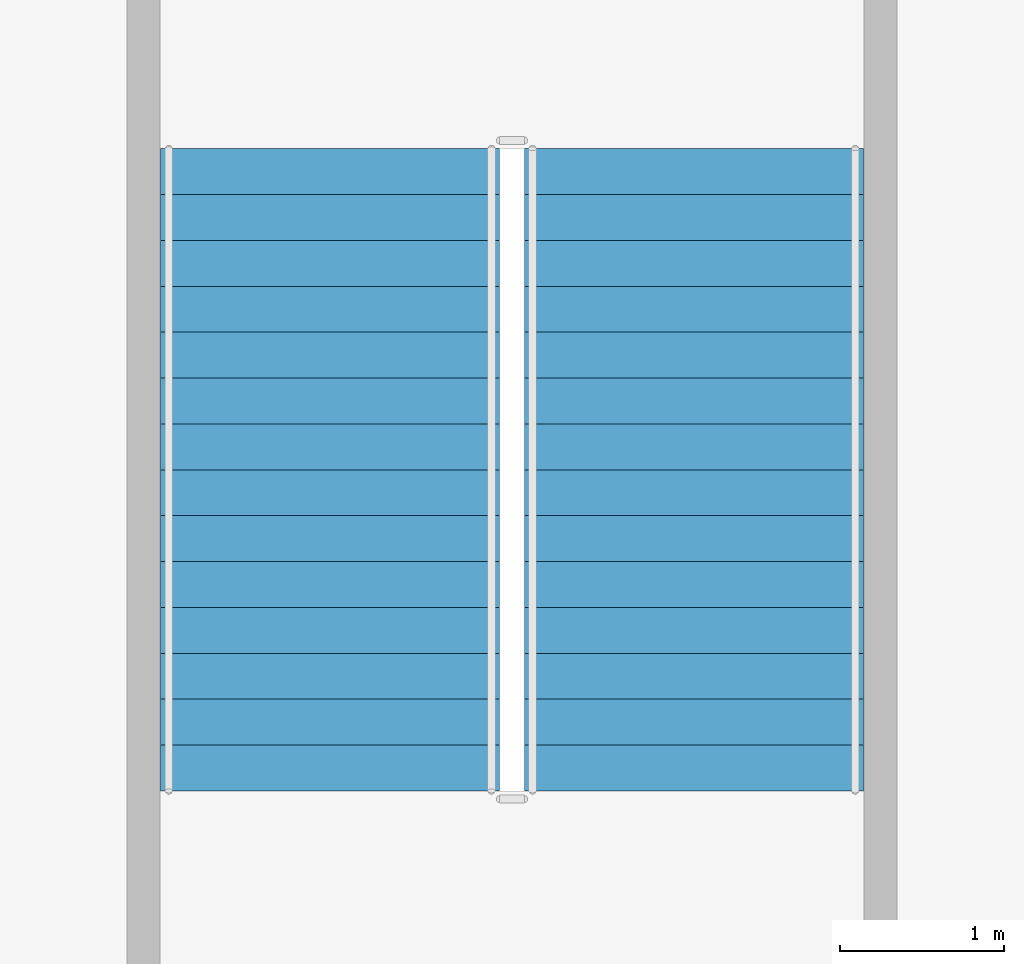
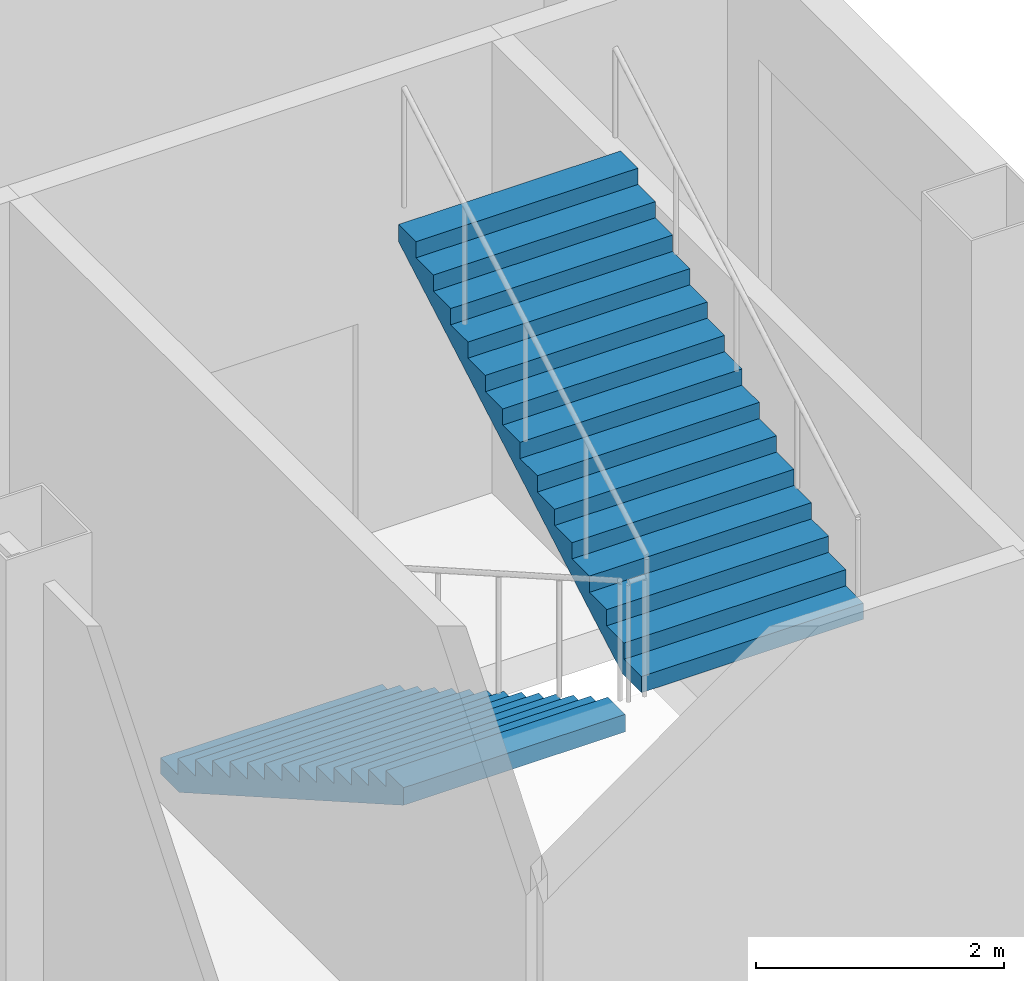
# One storey, part 17 of 23: 2 stair flights, 1 element without a shape of its own.
"""IFC4 building model written with IfcOpenShell, lengths in metres."""

from ifc_helpers import new_model, si_unit, direction, frame, origin, place, context, subcontext, project, spatial, polygons, material, type_object, element, aggregate, save


model = new_model("IFC4")

# Units and contexts
model_context = context("Model", 3, precision=1e-05, world=origin(), true_north=direction((0.0, 1.0)))
body_context = subcontext(model_context, "Body", "Model", "MODEL_VIEW")
ifc_project = project(units=[si_unit("LENGTHUNIT", "METRE"), si_unit("AREAUNIT", "SQUARE_METRE"), si_unit("VOLUMEUNIT", "CUBIC_METRE"), si_unit("PLANEANGLEUNIT", "RADIAN"), si_unit("MASSUNIT", "GRAM", prefix="KILO")], contexts=[model_context])

# Site, building, storey
site_placement = place(None, origin())
site = spatial("IfcSite", under=ifc_project, at=site_placement, CompositionType="ELEMENT")
building_placement = place(site_placement, origin())
building = spatial("IfcBuilding", under=site, at=building_placement, Name="Caravel Reach Hotel and Residences", CompositionType="ELEMENT")
storey_placement = place(building_placement, frame((0.0, 0.0, 24.0)))
storey = spatial("IfcBuildingStorey", under=building, at=storey_placement, Name="L04", CompositionType="ELEMENT", Elevation=24.0)

# Stair, stair flights
ifc_material_1 = material(Name="Concrete C40", Category="concrete")
stair_type = type_object("IfcStairType", Name="Core stair", PredefinedType="HALF_TURN_STAIR", material=ifc_material_1)
stair_placement = place(storey_placement, origin())
stair = element("IfcStair", 1, at=stair_placement, inside=storey, type_object=stair_type, Name="L04 Exit stair P7", PredefinedType="HALF_TURN_STAIR")
ifc_material_2 = material(Name="Concrete C40", Category="concrete")
stair_flight_type = type_object("IfcStairFlightType", Name="Core stair flight", PredefinedType="STRAIGHT", material=ifc_material_2)
stair_flight_1_placement = place(storey_placement, frame((62.139892578125, 11.31005859375, 0.0), z_axis=(0.0, 0.0, 1.0), x_axis=(0.0, -1.0, 0.0)))
stair_flight_1 = element("IfcStairFlight", 2, at=stair_flight_1_placement, type_object=stair_flight_type, Name="ST-P7 flight 1", NumberOfRisers=15, NumberOfTreads=14, PredefinedType="STRAIGHT", RiserHeight=0.16, TreadLength=0.28, context=body_context, shape_type="Tessellation", body=[
    polygons([(0.30213783309663755, 1.0350341796875, 0.0), (0.30213783309663755, 0.6900227864583333, 0.0), (0.30213783309663755, 0.34501139322916663, 0.0), (0.30213783309663755, 0.0, 0.0), (0.30213783309663755, -0.34501139322916674, 0.0), (0.30213783309663755, -0.6900227864583333, 0.0), (0.30213783309663755, -1.0350341796875, 0.0), (3.9210000000000003, 1.0350341796875, 2.0673498096590643), (3.9210000000000003, 0.6900227864583333, 2.0673498096590643), (3.9210000000000003, 0.34501139322916663, 2.0673498096590643), (3.9210000000000003, 0.0, 2.0673498096590643), (3.9210000000000003, -0.34501139322916674, 2.0673498096590643), (3.9210000000000003, -0.6900227864583333, 2.0673498096590643), (3.9210000000000003, -1.0350341796875, 2.0673498096590643), (3.9210000000000003, 1.0350341796875, 2.24), (3.9210000000000003, 0.6900227864583333, 2.24), (3.9210000000000003, 0.34501139322916663, 2.24), (3.9210000000000003, 0.0, 2.24), (3.9210000000000003, -0.34501139322916674, 2.24), (3.9210000000000003, -0.6900227864583333, 2.24), (3.9210000000000003, -1.0350341796875, 2.24), (3.6400000000000006, 1.0350341796875, 2.24), (3.6400000000000006, 0.6900227864583333, 2.24), (3.6400000000000006, 0.34501139322916663, 2.24), (3.6400000000000006, 0.0, 2.24), (3.6400000000000006, -0.34501139322916674, 2.24), (3.6400000000000006, -0.6900227864583333, 2.24), (3.6400000000000006, -1.0350341796875, 2.24), (3.6400000000000006, 1.0350341796875, 2.08), (3.6400000000000006, 0.6900227864583333, 2.08), (3.6400000000000006, 0.34501139322916663, 2.08), (3.6400000000000006, 0.0, 2.08), (3.6400000000000006, -0.34501139322916674, 2.08), (3.6400000000000006, -0.6900227864583333, 2.08), (3.6400000000000006, -1.0350341796875, 2.08), (3.3600000000000003, 1.0350341796875, 2.08), (3.3600000000000003, 0.6900227864583333, 2.08), (3.3600000000000003, 0.34501139322916663, 2.08), (3.3600000000000003, 0.0, 2.08), (3.3600000000000003, -0.34501139322916674, 2.08), (3.3600000000000003, -0.6900227864583333, 2.08), (3.3600000000000003, -1.0350341796875, 2.08), (3.3600000000000003, 1.0350341796875, 1.92), (3.3600000000000003, 0.6900227864583333, 1.92), (3.3600000000000003, 0.34501139322916663, 1.92), (3.3600000000000003, 0.0, 1.92), (3.3600000000000003, -0.34501139322916674, 1.92), (3.3600000000000003, -0.6900227864583333, 1.92), (3.3600000000000003, -1.0350341796875, 1.92), (3.08, 1.0350341796875, 1.92), (3.08, 0.6900227864583333, 1.92), (3.08, 0.34501139322916663, 1.92), (3.08, 0.0, 1.92), (3.08, -0.34501139322916674, 1.92), (3.08, -0.6900227864583333, 1.92), (3.08, -1.0350341796875, 1.92), (3.08, 1.0350341796875, 1.76), (3.08, 0.6900227864583333, 1.76), (3.08, 0.34501139322916663, 1.76), (3.08, 0.0, 1.76), (3.08, -0.34501139322916674, 1.76), (3.08, -0.6900227864583333, 1.76), (3.08, -1.0350341796875, 1.76), (2.8000000000000003, 1.0350341796875, 1.76), (2.8000000000000003, 0.6900227864583333, 1.76), (2.8000000000000003, 0.34501139322916663, 1.76), (2.8000000000000003, 0.0, 1.76), (2.8000000000000003, -0.34501139322916674, 1.76), (2.8000000000000003, -0.6900227864583333, 1.76), (2.8000000000000003, -1.0350341796875, 1.76), (2.8000000000000003, 1.0350341796875, 1.6), (2.8000000000000003, 0.6900227864583333, 1.6), (2.8000000000000003, 0.34501139322916663, 1.6), (2.8000000000000003, 0.0, 1.6), (2.8000000000000003, -0.34501139322916674, 1.6), (2.8000000000000003, -0.6900227864583333, 1.6), (2.8000000000000003, -1.0350341796875, 1.6), (2.5200000000000005, 1.0350341796875, 1.6), (2.5200000000000005, 0.6900227864583333, 1.6), (2.5200000000000005, 0.34501139322916663, 1.6), (2.5200000000000005, 0.0, 1.6), (2.5200000000000005, -0.34501139322916674, 1.6), (2.5200000000000005, -0.6900227864583333, 1.6), (2.5200000000000005, -1.0350341796875, 1.6), (2.5200000000000005, 1.0350341796875, 1.44), (2.5200000000000005, 0.6900227864583333, 1.44), (2.5200000000000005, 0.34501139322916663, 1.44), (2.5200000000000005, 0.0, 1.44), (2.5200000000000005, -0.34501139322916674, 1.44), (2.5200000000000005, -0.6900227864583333, 1.44), (2.5200000000000005, -1.0350341796875, 1.44), (2.24, 1.0350341796875, 1.44), (2.24, 0.6900227864583333, 1.44), (2.24, 0.34501139322916663, 1.44), (2.24, 0.0, 1.44), (2.24, -0.34501139322916674, 1.44), (2.24, -0.6900227864583333, 1.44), (2.24, -1.0350341796875, 1.44), (2.24, 1.0350341796875, 1.28), (2.24, 0.6900227864583333, 1.28), (2.24, 0.34501139322916663, 1.28), (2.24, 0.0, 1.28), (2.24, -0.34501139322916674, 1.28), (2.24, -0.6900227864583333, 1.28), (2.24, -1.0350341796875, 1.28), (1.9600000000000002, 1.0350341796875, 1.28), (1.9600000000000002, 0.6900227864583333, 1.28), (1.9600000000000002, 0.34501139322916663, 1.28), (1.9600000000000002, 0.0, 1.28), (1.9600000000000002, -0.34501139322916674, 1.28), (1.9600000000000002, -0.6900227864583333, 1.28), (1.9600000000000002, -1.0350341796875, 1.28), (1.9600000000000002, 1.0350341796875, 1.12), (1.9600000000000002, 0.6900227864583333, 1.12), (1.9600000000000002, 0.34501139322916663, 1.12), (1.9600000000000002, 0.0, 1.12), (1.9600000000000002, -0.34501139322916674, 1.12), (1.9600000000000002, -0.6900227864583333, 1.12), (1.9600000000000002, -1.0350341796875, 1.12), (1.6800000000000002, 1.0350341796875, 1.12), (1.6800000000000002, 0.6900227864583333, 1.12), (1.6800000000000002, 0.34501139322916663, 1.12), (1.6800000000000002, 0.0, 1.12), (1.6800000000000002, -0.34501139322916674, 1.12), (1.6800000000000002, -0.6900227864583333, 1.12), (1.6800000000000002, -1.0350341796875, 1.12), (1.6800000000000002, 1.0350341796875, 0.96), (1.6800000000000002, 0.6900227864583333, 0.96), (1.6800000000000002, 0.34501139322916663, 0.96), (1.6800000000000002, 0.0, 0.96), (1.6800000000000002, -0.34501139322916674, 0.96), (1.6800000000000002, -0.6900227864583333, 0.96), (1.6800000000000002, -1.0350341796875, 0.96), (1.4000000000000001, 1.0350341796875, 0.96), (1.4000000000000001, 0.6900227864583333, 0.96), (1.4000000000000001, 0.34501139322916663, 0.96), (1.4000000000000001, 0.0, 0.96), (1.4000000000000001, -0.34501139322916674, 0.96), (1.4000000000000001, -0.6900227864583333, 0.96), (1.4000000000000001, -1.0350341796875, 0.96), (1.4000000000000001, 1.0350341796875, 0.8), (1.4000000000000001, 0.6900227864583333, 0.8), (1.4000000000000001, 0.34501139322916663, 0.8), (1.4000000000000001, 0.0, 0.8), (1.4000000000000001, -0.34501139322916674, 0.8), (1.4000000000000001, -0.6900227864583333, 0.8), (1.4000000000000001, -1.0350341796875, 0.8), (1.12, 1.0350341796875, 0.8), (1.12, 0.6900227864583333, 0.8), (1.12, 0.34501139322916663, 0.8), (1.12, 0.0, 0.8), (1.12, -0.34501139322916674, 0.8), (1.12, -0.6900227864583333, 0.8), (1.12, -1.0350341796875, 0.8), (1.12, 1.0350341796875, 0.64), (1.12, 0.6900227864583333, 0.64), (1.12, 0.34501139322916663, 0.64), (1.12, 0.0, 0.64), (1.12, -0.34501139322916674, 0.64), (1.12, -0.6900227864583333, 0.64), (1.12, -1.0350341796875, 0.64), (0.8400000000000001, 1.0350341796875, 0.64), (0.8400000000000001, 0.6900227864583333, 0.64), (0.8400000000000001, 0.34501139322916663, 0.64), (0.8400000000000001, 0.0, 0.64), (0.8400000000000001, -0.34501139322916674, 0.64), (0.8400000000000001, -0.6900227864583333, 0.64), (0.8400000000000001, -1.0350341796875, 0.64), (0.8400000000000001, 1.0350341796875, 0.48), (0.8400000000000001, 0.6900227864583333, 0.48), (0.8400000000000001, 0.34501139322916663, 0.48), (0.8400000000000001, 0.0, 0.48), (0.8400000000000001, -0.34501139322916674, 0.48), (0.8400000000000001, -0.6900227864583333, 0.48), (0.8400000000000001, -1.0350341796875, 0.48), (0.56, 1.0350341796875, 0.48), (0.56, 0.6900227864583333, 0.48), (0.56, 0.34501139322916663, 0.48), (0.56, 0.0, 0.48), (0.56, -0.34501139322916674, 0.48), (0.56, -0.6900227864583333, 0.48), (0.56, -1.0350341796875, 0.48), (0.56, 1.0350341796875, 0.32), (0.56, 0.6900227864583333, 0.32), (0.56, 0.34501139322916663, 0.32), (0.56, 0.0, 0.32), (0.56, -0.34501139322916674, 0.32), (0.56, -0.6900227864583333, 0.32), (0.56, -1.0350341796875, 0.32), (0.28, 1.0350341796875, 0.32), (0.28, 0.6900227864583333, 0.32), (0.28, 0.34501139322916663, 0.32), (0.28, 0.0, 0.32), (0.28, -0.34501139322916674, 0.32), (0.28, -0.6900227864583333, 0.32), (0.28, -1.0350341796875, 0.32), (0.28, 1.0350341796875, 0.16), (0.28, 0.6900227864583333, 0.16), (0.28, 0.34501139322916663, 0.16), (0.28, 0.0, 0.16), (0.28, -0.34501139322916674, 0.16), (0.28, -0.6900227864583333, 0.16), (0.28, -1.0350341796875, 0.16), (-0.001, 1.0350341796875, 0.16), (-0.001, 0.6900227864583333, 0.16), (-0.001, 0.34501139322916663, 0.16), (-0.001, 0.0, 0.16), (-0.001, -0.34501139322916674, 0.16), (-0.001, -0.6900227864583333, 0.16), (-0.001, -1.0350341796875, 0.16), (-0.001, 1.0350341796875, 0.0), (-0.001, 0.6900227864583333, 0.0), (-0.001, 0.34501139322916663, 0.0), (-0.001, 0.0, 0.0), (-0.001, -0.34501139322916674, 0.0), (-0.001, -0.6900227864583333, 0.0), (-0.001, -1.0350341796875, 0.0)], [[[211, 204, 197, 190, 183, 176, 169, 162, 155, 148, 141, 134, 127, 120, 113, 106, 99, 92, 85, 78, 71, 64, 57, 50, 43, 36, 29, 22, 15, 8, 1]], [[7, 14, 21, 28, 35, 42, 49, 56, 63, 70, 77, 84, 91, 98, 105, 112, 119, 126, 133, 140, 147, 154, 161, 168, 175, 182, 189, 196, 203, 210, 217]], [[1, 8, 9, 2]], [[2, 9, 10, 3]], [[3, 10, 11, 4]], [[4, 11, 12, 5]], [[5, 12, 13, 6]], [[6, 13, 14, 7]], [[8, 15, 16, 9]], [[9, 16, 17, 10]], [[10, 17, 18, 11]], [[11, 18, 19, 12]], [[12, 19, 20, 13]], [[13, 20, 21, 14]], [[15, 22, 23, 16]], [[16, 23, 24, 17]], [[17, 24, 25, 18]], [[18, 25, 26, 19]], [[19, 26, 27, 20]], [[20, 27, 28, 21]], [[22, 29, 30, 23]], [[23, 30, 31, 24]], [[24, 31, 32, 25]], [[25, 32, 33, 26]], [[26, 33, 34, 27]], [[27, 34, 35, 28]], [[29, 36, 37, 30]], [[30, 37, 38, 31]], [[31, 38, 39, 32]], [[32, 39, 40, 33]], [[33, 40, 41, 34]], [[34, 41, 42, 35]], [[36, 43, 44, 37]], [[37, 44, 45, 38]], [[38, 45, 46, 39]], [[39, 46, 47, 40]], [[40, 47, 48, 41]], [[41, 48, 49, 42]], [[43, 50, 51, 44]], [[44, 51, 52, 45]], [[45, 52, 53, 46]], [[46, 53, 54, 47]], [[47, 54, 55, 48]], [[48, 55, 56, 49]], [[50, 57, 58, 51]], [[51, 58, 59, 52]], [[52, 59, 60, 53]], [[53, 60, 61, 54]], [[54, 61, 62, 55]], [[55, 62, 63, 56]], [[57, 64, 65, 58]], [[58, 65, 66, 59]], [[59, 66, 67, 60]], [[60, 67, 68, 61]], [[61, 68, 69, 62]], [[62, 69, 70, 63]], [[64, 71, 72, 65]], [[65, 72, 73, 66]], [[66, 73, 74, 67]], [[67, 74, 75, 68]], [[68, 75, 76, 69]], [[69, 76, 77, 70]], [[71, 78, 79, 72]], [[72, 79, 80, 73]], [[73, 80, 81, 74]], [[74, 81, 82, 75]], [[75, 82, 83, 76]], [[76, 83, 84, 77]], [[78, 85, 86, 79]], [[79, 86, 87, 80]], [[80, 87, 88, 81]], [[81, 88, 89, 82]], [[82, 89, 90, 83]], [[83, 90, 91, 84]], [[85, 92, 93, 86]], [[86, 93, 94, 87]], [[87, 94, 95, 88]], [[88, 95, 96, 89]], [[89, 96, 97, 90]], [[90, 97, 98, 91]], [[92, 99, 100, 93]], [[93, 100, 101, 94]], [[94, 101, 102, 95]], [[95, 102, 103, 96]], [[96, 103, 104, 97]], [[97, 104, 105, 98]], [[99, 106, 107, 100]], [[100, 107, 108, 101]], [[101, 108, 109, 102]], [[102, 109, 110, 103]], [[103, 110, 111, 104]], [[104, 111, 112, 105]], [[106, 113, 114, 107]], [[107, 114, 115, 108]], [[108, 115, 116, 109]], [[109, 116, 117, 110]], [[110, 117, 118, 111]], [[111, 118, 119, 112]], [[113, 120, 121, 114]], [[114, 121, 122, 115]], [[115, 122, 123, 116]], [[116, 123, 124, 117]], [[117, 124, 125, 118]], [[118, 125, 126, 119]], [[120, 127, 128, 121]], [[121, 128, 129, 122]], [[122, 129, 130, 123]], [[123, 130, 131, 124]], [[124, 131, 132, 125]], [[125, 132, 133, 126]], [[127, 134, 135, 128]], [[128, 135, 136, 129]], [[129, 136, 137, 130]], [[130, 137, 138, 131]], [[131, 138, 139, 132]], [[132, 139, 140, 133]], [[134, 141, 142, 135]], [[135, 142, 143, 136]], [[136, 143, 144, 137]], [[137, 144, 145, 138]], [[138, 145, 146, 139]], [[139, 146, 147, 140]], [[141, 148, 149, 142]], [[142, 149, 150, 143]], [[143, 150, 151, 144]], [[144, 151, 152, 145]], [[145, 152, 153, 146]], [[146, 153, 154, 147]], [[148, 155, 156, 149]], [[149, 156, 157, 150]], [[150, 157, 158, 151]], [[151, 158, 159, 152]], [[152, 159, 160, 153]], [[153, 160, 161, 154]], [[155, 162, 163, 156]], [[156, 163, 164, 157]], [[157, 164, 165, 158]], [[158, 165, 166, 159]], [[159, 166, 167, 160]], [[160, 167, 168, 161]], [[162, 169, 170, 163]], [[163, 170, 171, 164]], [[164, 171, 172, 165]], [[165, 172, 173, 166]], [[166, 173, 174, 167]], [[167, 174, 175, 168]], [[169, 176, 177, 170]], [[170, 177, 178, 171]], [[171, 178, 179, 172]], [[172, 179, 180, 173]], [[173, 180, 181, 174]], [[174, 181, 182, 175]], [[176, 183, 184, 177]], [[177, 184, 185, 178]], [[178, 185, 186, 179]], [[179, 186, 187, 180]], [[180, 187, 188, 181]], [[181, 188, 189, 182]], [[183, 190, 191, 184]], [[184, 191, 192, 185]], [[185, 192, 193, 186]], [[186, 193, 194, 187]], [[187, 194, 195, 188]], [[188, 195, 196, 189]], [[190, 197, 198, 191]], [[191, 198, 199, 192]], [[192, 199, 200, 193]], [[193, 200, 201, 194]], [[194, 201, 202, 195]], [[195, 202, 203, 196]], [[197, 204, 205, 198]], [[198, 205, 206, 199]], [[199, 206, 207, 200]], [[200, 207, 208, 201]], [[201, 208, 209, 202]], [[202, 209, 210, 203]], [[204, 211, 212, 205]], [[205, 212, 213, 206]], [[206, 213, 214, 207]], [[207, 214, 215, 208]], [[208, 215, 216, 209]], [[209, 216, 217, 210]], [[211, 1, 2, 212]], [[212, 2, 3, 213]], [[213, 3, 4, 214]], [[214, 4, 5, 215]], [[215, 5, 6, 216]], [[216, 6, 7, 217]]], closed=True),
])
stair_flight_2_placement = place(storey_placement, frame((64.360107421875, 7.389892578125, 2.39990234375), z_axis=(0.0, 0.0, 1.0), x_axis=(0.0, 1.0, 0.0)))
stair_flight_2 = element("IfcStairFlight", 3, at=stair_flight_2_placement, type_object=stair_flight_type, Name="ST-P7 flight 2", NumberOfRisers=15, NumberOfTreads=14, PredefinedType="STRAIGHT", RiserHeight=0.16, TreadLength=0.28, context=body_context, shape_type="Tessellation", body=[
    polygons([(0.30213783309663755, 1.0350341796875, 0.0), (0.30213783309663755, 0.6900227864583333, 0.0), (0.30213783309663755, 0.34501139322916663, 0.0), (0.30213783309663755, 0.0, 0.0), (0.30213783309663755, -0.34501139322916674, 0.0), (0.30213783309663755, -0.6900227864583333, 0.0), (0.30213783309663755, -1.0350341796875, 0.0), (3.9210000000000003, 1.0350341796875, 2.0673498096590643), (3.9210000000000003, 0.6900227864583333, 2.0673498096590643), (3.9210000000000003, 0.34501139322916663, 2.0673498096590643), (3.9210000000000003, 0.0, 2.0673498096590643), (3.9210000000000003, -0.34501139322916674, 2.0673498096590643), (3.9210000000000003, -0.6900227864583333, 2.0673498096590643), (3.9210000000000003, -1.0350341796875, 2.0673498096590643), (3.9210000000000003, 1.0350341796875, 2.24), (3.9210000000000003, 0.6900227864583333, 2.24), (3.9210000000000003, 0.34501139322916663, 2.24), (3.9210000000000003, 0.0, 2.24), (3.9210000000000003, -0.34501139322916674, 2.24), (3.9210000000000003, -0.6900227864583333, 2.24), (3.9210000000000003, -1.0350341796875, 2.24), (3.6400000000000006, 1.0350341796875, 2.24), (3.6400000000000006, 0.6900227864583333, 2.24), (3.6400000000000006, 0.34501139322916663, 2.24), (3.6400000000000006, 0.0, 2.24), (3.6400000000000006, -0.34501139322916674, 2.24), (3.6400000000000006, -0.6900227864583333, 2.24), (3.6400000000000006, -1.0350341796875, 2.24), (3.6400000000000006, 1.0350341796875, 2.08), (3.6400000000000006, 0.6900227864583333, 2.08), (3.6400000000000006, 0.34501139322916663, 2.08), (3.6400000000000006, 0.0, 2.08), (3.6400000000000006, -0.34501139322916674, 2.08), (3.6400000000000006, -0.6900227864583333, 2.08), (3.6400000000000006, -1.0350341796875, 2.08), (3.3600000000000003, 1.0350341796875, 2.08), (3.3600000000000003, 0.6900227864583333, 2.08), (3.3600000000000003, 0.34501139322916663, 2.08), (3.3600000000000003, 0.0, 2.08), (3.3600000000000003, -0.34501139322916674, 2.08), (3.3600000000000003, -0.6900227864583333, 2.08), (3.3600000000000003, -1.0350341796875, 2.08), (3.3600000000000003, 1.0350341796875, 1.92), (3.3600000000000003, 0.6900227864583333, 1.92), (3.3600000000000003, 0.34501139322916663, 1.92), (3.3600000000000003, 0.0, 1.92), (3.3600000000000003, -0.34501139322916674, 1.92), (3.3600000000000003, -0.6900227864583333, 1.92), (3.3600000000000003, -1.0350341796875, 1.92), (3.08, 1.0350341796875, 1.92), (3.08, 0.6900227864583333, 1.92), (3.08, 0.34501139322916663, 1.92), (3.08, 0.0, 1.92), (3.08, -0.34501139322916674, 1.92), (3.08, -0.6900227864583333, 1.92), (3.08, -1.0350341796875, 1.92), (3.08, 1.0350341796875, 1.76), (3.08, 0.6900227864583333, 1.76), (3.08, 0.34501139322916663, 1.76), (3.08, 0.0, 1.76), (3.08, -0.34501139322916674, 1.76), (3.08, -0.6900227864583333, 1.76), (3.08, -1.0350341796875, 1.76), (2.8000000000000003, 1.0350341796875, 1.76), (2.8000000000000003, 0.6900227864583333, 1.76), (2.8000000000000003, 0.34501139322916663, 1.76), (2.8000000000000003, 0.0, 1.76), (2.8000000000000003, -0.34501139322916674, 1.76), (2.8000000000000003, -0.6900227864583333, 1.76), (2.8000000000000003, -1.0350341796875, 1.76), (2.8000000000000003, 1.0350341796875, 1.6), (2.8000000000000003, 0.6900227864583333, 1.6), (2.8000000000000003, 0.34501139322916663, 1.6), (2.8000000000000003, 0.0, 1.6), (2.8000000000000003, -0.34501139322916674, 1.6), (2.8000000000000003, -0.6900227864583333, 1.6), (2.8000000000000003, -1.0350341796875, 1.6), (2.5200000000000005, 1.0350341796875, 1.6), (2.5200000000000005, 0.6900227864583333, 1.6), (2.5200000000000005, 0.34501139322916663, 1.6), (2.5200000000000005, 0.0, 1.6), (2.5200000000000005, -0.34501139322916674, 1.6), (2.5200000000000005, -0.6900227864583333, 1.6), (2.5200000000000005, -1.0350341796875, 1.6), (2.5200000000000005, 1.0350341796875, 1.44), (2.5200000000000005, 0.6900227864583333, 1.44), (2.5200000000000005, 0.34501139322916663, 1.44), (2.5200000000000005, 0.0, 1.44), (2.5200000000000005, -0.34501139322916674, 1.44), (2.5200000000000005, -0.6900227864583333, 1.44), (2.5200000000000005, -1.0350341796875, 1.44), (2.24, 1.0350341796875, 1.44), (2.24, 0.6900227864583333, 1.44), (2.24, 0.34501139322916663, 1.44), (2.24, 0.0, 1.44), (2.24, -0.34501139322916674, 1.44), (2.24, -0.6900227864583333, 1.44), (2.24, -1.0350341796875, 1.44), (2.24, 1.0350341796875, 1.28), (2.24, 0.6900227864583333, 1.28), (2.24, 0.34501139322916663, 1.28), (2.24, 0.0, 1.28), (2.24, -0.34501139322916674, 1.28), (2.24, -0.6900227864583333, 1.28), (2.24, -1.0350341796875, 1.28), (1.9600000000000002, 1.0350341796875, 1.28), (1.9600000000000002, 0.6900227864583333, 1.28), (1.9600000000000002, 0.34501139322916663, 1.28), (1.9600000000000002, 0.0, 1.28), (1.9600000000000002, -0.34501139322916674, 1.28), (1.9600000000000002, -0.6900227864583333, 1.28), (1.9600000000000002, -1.0350341796875, 1.28), (1.9600000000000002, 1.0350341796875, 1.12), (1.9600000000000002, 0.6900227864583333, 1.12), (1.9600000000000002, 0.34501139322916663, 1.12), (1.9600000000000002, 0.0, 1.12), (1.9600000000000002, -0.34501139322916674, 1.12), (1.9600000000000002, -0.6900227864583333, 1.12), (1.9600000000000002, -1.0350341796875, 1.12), (1.6800000000000002, 1.0350341796875, 1.12), (1.6800000000000002, 0.6900227864583333, 1.12), (1.6800000000000002, 0.34501139322916663, 1.12), (1.6800000000000002, 0.0, 1.12), (1.6800000000000002, -0.34501139322916674, 1.12), (1.6800000000000002, -0.6900227864583333, 1.12), (1.6800000000000002, -1.0350341796875, 1.12), (1.6800000000000002, 1.0350341796875, 0.96), (1.6800000000000002, 0.6900227864583333, 0.96), (1.6800000000000002, 0.34501139322916663, 0.96), (1.6800000000000002, 0.0, 0.96), (1.6800000000000002, -0.34501139322916674, 0.96), (1.6800000000000002, -0.6900227864583333, 0.96), (1.6800000000000002, -1.0350341796875, 0.96), (1.4000000000000001, 1.0350341796875, 0.96), (1.4000000000000001, 0.6900227864583333, 0.96), (1.4000000000000001, 0.34501139322916663, 0.96), (1.4000000000000001, 0.0, 0.96), (1.4000000000000001, -0.34501139322916674, 0.96), (1.4000000000000001, -0.6900227864583333, 0.96), (1.4000000000000001, -1.0350341796875, 0.96), (1.4000000000000001, 1.0350341796875, 0.8), (1.4000000000000001, 0.6900227864583333, 0.8), (1.4000000000000001, 0.34501139322916663, 0.8), (1.4000000000000001, 0.0, 0.8), (1.4000000000000001, -0.34501139322916674, 0.8), (1.4000000000000001, -0.6900227864583333, 0.8), (1.4000000000000001, -1.0350341796875, 0.8), (1.12, 1.0350341796875, 0.8), (1.12, 0.6900227864583333, 0.8), (1.12, 0.34501139322916663, 0.8), (1.12, 0.0, 0.8), (1.12, -0.34501139322916674, 0.8), (1.12, -0.6900227864583333, 0.8), (1.12, -1.0350341796875, 0.8), (1.12, 1.0350341796875, 0.64), (1.12, 0.6900227864583333, 0.64), (1.12, 0.34501139322916663, 0.64), (1.12, 0.0, 0.64), (1.12, -0.34501139322916674, 0.64), (1.12, -0.6900227864583333, 0.64), (1.12, -1.0350341796875, 0.64), (0.8400000000000001, 1.0350341796875, 0.64), (0.8400000000000001, 0.6900227864583333, 0.64), (0.8400000000000001, 0.34501139322916663, 0.64), (0.8400000000000001, 0.0, 0.64), (0.8400000000000001, -0.34501139322916674, 0.64), (0.8400000000000001, -0.6900227864583333, 0.64), (0.8400000000000001, -1.0350341796875, 0.64), (0.8400000000000001, 1.0350341796875, 0.48), (0.8400000000000001, 0.6900227864583333, 0.48), (0.8400000000000001, 0.34501139322916663, 0.48), (0.8400000000000001, 0.0, 0.48), (0.8400000000000001, -0.34501139322916674, 0.48), (0.8400000000000001, -0.6900227864583333, 0.48), (0.8400000000000001, -1.0350341796875, 0.48), (0.56, 1.0350341796875, 0.48), (0.56, 0.6900227864583333, 0.48), (0.56, 0.34501139322916663, 0.48), (0.56, 0.0, 0.48), (0.56, -0.34501139322916674, 0.48), (0.56, -0.6900227864583333, 0.48), (0.56, -1.0350341796875, 0.48), (0.56, 1.0350341796875, 0.32), (0.56, 0.6900227864583333, 0.32), (0.56, 0.34501139322916663, 0.32), (0.56, 0.0, 0.32), (0.56, -0.34501139322916674, 0.32), (0.56, -0.6900227864583333, 0.32), (0.56, -1.0350341796875, 0.32), (0.28, 1.0350341796875, 0.32), (0.28, 0.6900227864583333, 0.32), (0.28, 0.34501139322916663, 0.32), (0.28, 0.0, 0.32), (0.28, -0.34501139322916674, 0.32), (0.28, -0.6900227864583333, 0.32), (0.28, -1.0350341796875, 0.32), (0.28, 1.0350341796875, 0.16), (0.28, 0.6900227864583333, 0.16), (0.28, 0.34501139322916663, 0.16), (0.28, 0.0, 0.16), (0.28, -0.34501139322916674, 0.16), (0.28, -0.6900227864583333, 0.16), (0.28, -1.0350341796875, 0.16), (-0.001, 1.0350341796875, 0.16), (-0.001, 0.6900227864583333, 0.16), (-0.001, 0.34501139322916663, 0.16), (-0.001, 0.0, 0.16), (-0.001, -0.34501139322916674, 0.16), (-0.001, -0.6900227864583333, 0.16), (-0.001, -1.0350341796875, 0.16), (-0.001, 1.0350341796875, 0.0), (-0.001, 0.6900227864583333, 0.0), (-0.001, 0.34501139322916663, 0.0), (-0.001, 0.0, 0.0), (-0.001, -0.34501139322916674, 0.0), (-0.001, -0.6900227864583333, 0.0), (-0.001, -1.0350341796875, 0.0)], [[[211, 204, 197, 190, 183, 176, 169, 162, 155, 148, 141, 134, 127, 120, 113, 106, 99, 92, 85, 78, 71, 64, 57, 50, 43, 36, 29, 22, 15, 8, 1]], [[7, 14, 21, 28, 35, 42, 49, 56, 63, 70, 77, 84, 91, 98, 105, 112, 119, 126, 133, 140, 147, 154, 161, 168, 175, 182, 189, 196, 203, 210, 217]], [[1, 8, 9, 2]], [[2, 9, 10, 3]], [[3, 10, 11, 4]], [[4, 11, 12, 5]], [[5, 12, 13, 6]], [[6, 13, 14, 7]], [[8, 15, 16, 9]], [[9, 16, 17, 10]], [[10, 17, 18, 11]], [[11, 18, 19, 12]], [[12, 19, 20, 13]], [[13, 20, 21, 14]], [[15, 22, 23, 16]], [[16, 23, 24, 17]], [[17, 24, 25, 18]], [[18, 25, 26, 19]], [[19, 26, 27, 20]], [[20, 27, 28, 21]], [[22, 29, 30, 23]], [[23, 30, 31, 24]], [[24, 31, 32, 25]], [[25, 32, 33, 26]], [[26, 33, 34, 27]], [[27, 34, 35, 28]], [[29, 36, 37, 30]], [[30, 37, 38, 31]], [[31, 38, 39, 32]], [[32, 39, 40, 33]], [[33, 40, 41, 34]], [[34, 41, 42, 35]], [[36, 43, 44, 37]], [[37, 44, 45, 38]], [[38, 45, 46, 39]], [[39, 46, 47, 40]], [[40, 47, 48, 41]], [[41, 48, 49, 42]], [[43, 50, 51, 44]], [[44, 51, 52, 45]], [[45, 52, 53, 46]], [[46, 53, 54, 47]], [[47, 54, 55, 48]], [[48, 55, 56, 49]], [[50, 57, 58, 51]], [[51, 58, 59, 52]], [[52, 59, 60, 53]], [[53, 60, 61, 54]], [[54, 61, 62, 55]], [[55, 62, 63, 56]], [[57, 64, 65, 58]], [[58, 65, 66, 59]], [[59, 66, 67, 60]], [[60, 67, 68, 61]], [[61, 68, 69, 62]], [[62, 69, 70, 63]], [[64, 71, 72, 65]], [[65, 72, 73, 66]], [[66, 73, 74, 67]], [[67, 74, 75, 68]], [[68, 75, 76, 69]], [[69, 76, 77, 70]], [[71, 78, 79, 72]], [[72, 79, 80, 73]], [[73, 80, 81, 74]], [[74, 81, 82, 75]], [[75, 82, 83, 76]], [[76, 83, 84, 77]], [[78, 85, 86, 79]], [[79, 86, 87, 80]], [[80, 87, 88, 81]], [[81, 88, 89, 82]], [[82, 89, 90, 83]], [[83, 90, 91, 84]], [[85, 92, 93, 86]], [[86, 93, 94, 87]], [[87, 94, 95, 88]], [[88, 95, 96, 89]], [[89, 96, 97, 90]], [[90, 97, 98, 91]], [[92, 99, 100, 93]], [[93, 100, 101, 94]], [[94, 101, 102, 95]], [[95, 102, 103, 96]], [[96, 103, 104, 97]], [[97, 104, 105, 98]], [[99, 106, 107, 100]], [[100, 107, 108, 101]], [[101, 108, 109, 102]], [[102, 109, 110, 103]], [[103, 110, 111, 104]], [[104, 111, 112, 105]], [[106, 113, 114, 107]], [[107, 114, 115, 108]], [[108, 115, 116, 109]], [[109, 116, 117, 110]], [[110, 117, 118, 111]], [[111, 118, 119, 112]], [[113, 120, 121, 114]], [[114, 121, 122, 115]], [[115, 122, 123, 116]], [[116, 123, 124, 117]], [[117, 124, 125, 118]], [[118, 125, 126, 119]], [[120, 127, 128, 121]], [[121, 128, 129, 122]], [[122, 129, 130, 123]], [[123, 130, 131, 124]], [[124, 131, 132, 125]], [[125, 132, 133, 126]], [[127, 134, 135, 128]], [[128, 135, 136, 129]], [[129, 136, 137, 130]], [[130, 137, 138, 131]], [[131, 138, 139, 132]], [[132, 139, 140, 133]], [[134, 141, 142, 135]], [[135, 142, 143, 136]], [[136, 143, 144, 137]], [[137, 144, 145, 138]], [[138, 145, 146, 139]], [[139, 146, 147, 140]], [[141, 148, 149, 142]], [[142, 149, 150, 143]], [[143, 150, 151, 144]], [[144, 151, 152, 145]], [[145, 152, 153, 146]], [[146, 153, 154, 147]], [[148, 155, 156, 149]], [[149, 156, 157, 150]], [[150, 157, 158, 151]], [[151, 158, 159, 152]], [[152, 159, 160, 153]], [[153, 160, 161, 154]], [[155, 162, 163, 156]], [[156, 163, 164, 157]], [[157, 164, 165, 158]], [[158, 165, 166, 159]], [[159, 166, 167, 160]], [[160, 167, 168, 161]], [[162, 169, 170, 163]], [[163, 170, 171, 164]], [[164, 171, 172, 165]], [[165, 172, 173, 166]], [[166, 173, 174, 167]], [[167, 174, 175, 168]], [[169, 176, 177, 170]], [[170, 177, 178, 171]], [[171, 178, 179, 172]], [[172, 179, 180, 173]], [[173, 180, 181, 174]], [[174, 181, 182, 175]], [[176, 183, 184, 177]], [[177, 184, 185, 178]], [[178, 185, 186, 179]], [[179, 186, 187, 180]], [[180, 187, 188, 181]], [[181, 188, 189, 182]], [[183, 190, 191, 184]], [[184, 191, 192, 185]], [[185, 192, 193, 186]], [[186, 193, 194, 187]], [[187, 194, 195, 188]], [[188, 195, 196, 189]], [[190, 197, 198, 191]], [[191, 198, 199, 192]], [[192, 199, 200, 193]], [[193, 200, 201, 194]], [[194, 201, 202, 195]], [[195, 202, 203, 196]], [[197, 204, 205, 198]], [[198, 205, 206, 199]], [[199, 206, 207, 200]], [[200, 207, 208, 201]], [[201, 208, 209, 202]], [[202, 209, 210, 203]], [[204, 211, 212, 205]], [[205, 212, 213, 206]], [[206, 213, 214, 207]], [[207, 214, 215, 208]], [[208, 215, 216, 209]], [[209, 216, 217, 210]], [[211, 1, 2, 212]], [[212, 2, 3, 213]], [[213, 3, 4, 214]], [[214, 4, 5, 215]], [[215, 5, 6, 216]], [[216, 6, 7, 217]]], closed=True),
])
aggregate(stair, [stair_flight_1, stair_flight_2])

save(model, "model.ifc")
